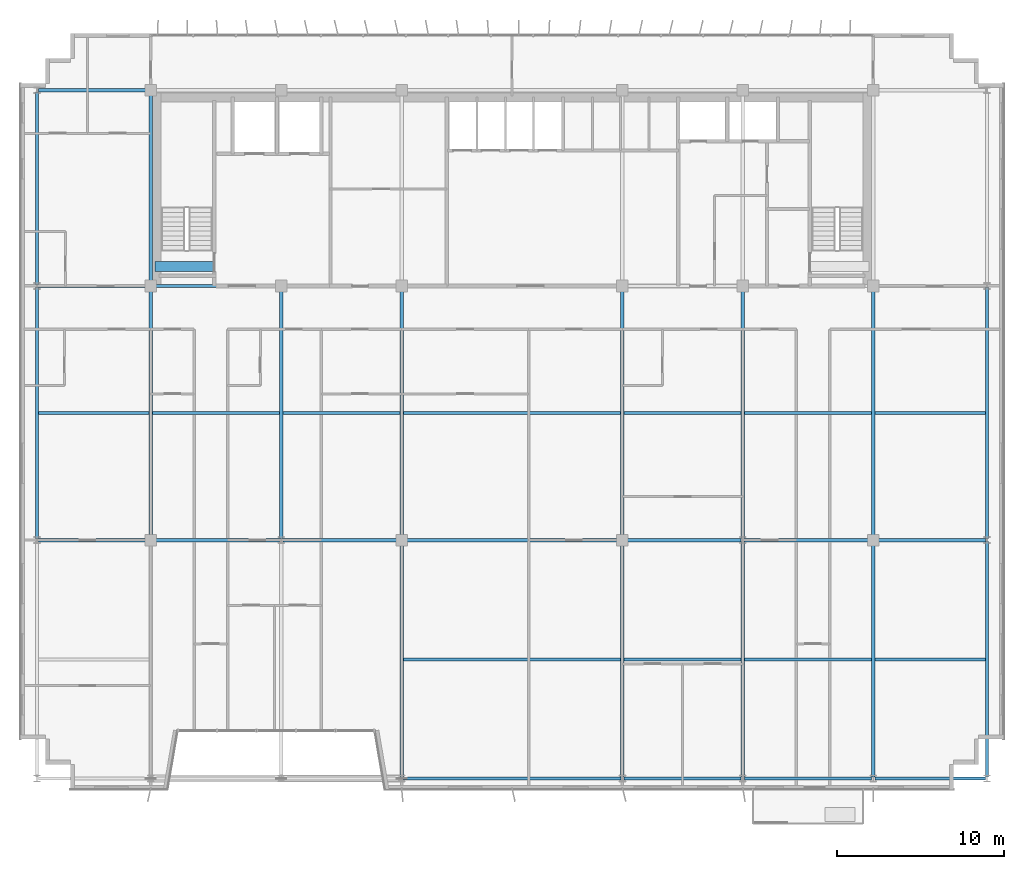
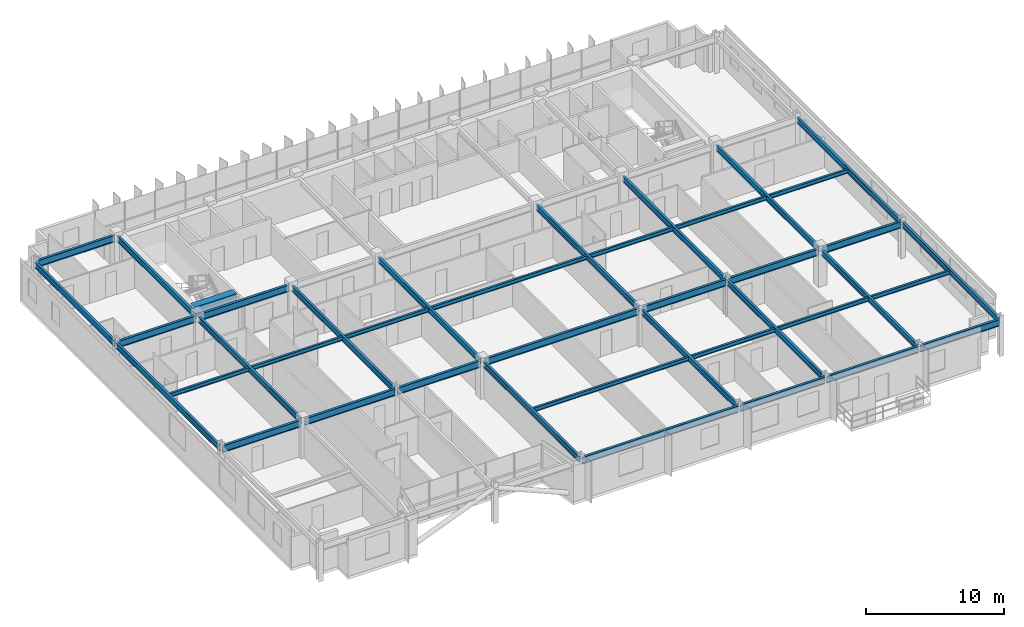
# One storey, part 6 of 24: 41 beams.
"""IFC4 building model written with IfcOpenShell, lengths in metres."""

from ifc_helpers import new_model, si_unit, direction, frame, origin, origin_2d, place, context, subcontext, project, spatial, rectangle, i_section, extrude, source, transform, mapped, material, material_profile, profile_set, type_object, element, save


model = new_model("IFC4")

# Units and contexts
model_context = context("Model", 3, precision=1e-05, world=origin(), true_north=direction((0.0, 1.0)))
body_context = subcontext(model_context, "Body", "Model", "MODEL_VIEW")
ifc_project = project(units=[si_unit("LENGTHUNIT", "METRE"), si_unit("AREAUNIT", "SQUARE_METRE"), si_unit("VOLUMEUNIT", "CUBIC_METRE"), si_unit("PLANEANGLEUNIT", "RADIAN"), si_unit("MASSUNIT", "GRAM", prefix="KILO")], contexts=[model_context])

# Site, building, storey
site_placement = place(None, origin())
site = spatial("IfcSite", under=ifc_project, at=site_placement, CompositionType="ELEMENT")
building_placement = place(site_placement, origin())
building = spatial("IfcBuilding", under=site, at=building_placement, Name="Trelvane Seafront Commons", CompositionType="ELEMENT")
storey_placement = place(building_placement, frame((0.0, 0.0, 178.89990234375)))
storey = spatial("IfcBuildingStorey", under=building, at=storey_placement, Name="L47", CompositionType="ELEMENT", Elevation=178.89990234375)

# Beams
ifc_material_1 = material(Name="Concrete C60/75", Category="concrete")
ifc_material_profile_1 = material_profile(ifc_material_1, rectangle(XDim=0.60009765625, YDim=0.89990234375, at=origin_2d()), Name="RC-600x900")
ifc_profile_set_1 = profile_set([ifc_material_profile_1], Name="Concrete C60/75")
beam_type_1 = type_object("IfcBeamType", Name="STR-LNT-RC600x900", PredefinedType="LINTEL", material=ifc_profile_set_1)
shared_shape_1 = source(origin(), body_context, "Body", "SweptSolid", [
    extrude(rectangle(XDim=0.60009765625, YDim=0.89990234375, at=origin_2d()), origin(), (0.0, 0.0, 1.0), 3.5498046875),
])
beam_1_placement = place(storey_placement, frame((15.85009765625, 34.550048828125, 2.77001953125), z_axis=(1.0, 0.0, 0.0), x_axis=(0.0, 1.0, 0.0)))
element("IfcBeam", 1, at=beam_1_placement, inside=storey, type_object=beam_type_1, Name="L47 Core Coupling Lintel Beam CB-65", PredefinedType="LINTEL", context=body_context, shape_type="MappedRepresentation", body=[
    mapped(shared_shape_1, transform((0.0, 0.0, 0.0), x_axis=(1.0, 0.0, 0.0), y_axis=(0.0, 1.0, 0.0), z_axis=(0.0, 0.0, 1.0), scale=1.0)),
])
ifc_material_2 = material(Name="Steel SM355 (S355)", Category="steel")
ifc_material_profile_2 = material_profile(ifc_material_2, i_section(OverallWidth=0.199951171875, OverallDepth=0.5, WebThickness=0.010009765625, FlangeThickness=0.01611328125, at=origin_2d()), Name="H-500x200x10x16")
ifc_profile_set_2 = profile_set([ifc_material_profile_2], Name="Steel SM355 (S355)")
beam_type_2 = type_object("IfcBeamType", Name="STR-BM-H500", PredefinedType="BEAM", material=ifc_profile_set_2)
shared_shape_2 = source(origin(), body_context, "Body", "SweptSolid", [
    extrude(i_section(OverallWidth=0.199951171875, OverallDepth=0.5, WebThickness=0.010009765625, FlangeThickness=0.01611328125, at=origin_2d()), origin(), (0.0, 0.0, 1.0), 14.89990234375),
])
for number, where, z_axis, x_axis, name in (
    (2, (15.60009765625, 18.35009765625, 2.97021484375), (0.0, 1.0, 0.0), (-1.0, 0.0, 0.0), "L47 Primary Girder G-33"),
    (3, (30.60009765625, 18.35009765625, 2.97021484375), (0.0, 1.0, 0.0), (-1.0, 0.0, 0.0), "L47 Primary Girder G-39"),
    (4, (43.800048828125, 18.35009765625, 2.97021484375), (0.0, 1.0, 0.0), (-1.0, 0.0, 0.0), "L47 Primary Girder G-42"),
    (5, (58.800048828125, 18.35009765625, 2.97021484375), (0.0, 1.0, 0.0), (-1.0, 0.0, 0.0), "L47 Primary Girder G-48"),
):
    element("IfcBeam", number, at=place(storey_placement, frame(where, z_axis=z_axis, x_axis=x_axis)), inside=storey, type_object=beam_type_2, Name=name, PredefinedType="BEAM", context=body_context, shape_type="MappedRepresentation", body=[
        mapped(shared_shape_2, transform((0.0, 0.0, 0.0), x_axis=(1.0, 0.0, 0.0), y_axis=(0.0, 1.0, 0.0), z_axis=(0.0, 0.0, 1.0), scale=1.0)),
    ])
shared_shape_3 = source(origin(), body_context, "Body", "SweptSolid", [
    extrude(i_section(OverallWidth=0.199951171875, OverallDepth=0.5, WebThickness=0.010009765625, FlangeThickness=0.01611328125, at=origin_2d()), origin(), (0.0, 0.0, 1.0), 11.39990234375),
])
beam_2_placement = place(storey_placement, frame((15.60009765625, 33.550048828125, 2.97021484375), z_axis=(0.0, 1.0, 0.0), x_axis=(-1.0, 0.0, 0.0)))
element("IfcBeam", 6, at=beam_2_placement, inside=storey, type_object=beam_type_2, Name="L47 Primary Girder G-34", PredefinedType="BEAM", context=body_context, shape_type="MappedRepresentation", body=[
    mapped(shared_shape_3, transform((0.0, 0.0, 0.0), x_axis=(1.0, 0.0, 0.0), y_axis=(0.0, 1.0, 0.0), z_axis=(0.0, 0.0, 1.0), scale=1.0)),
])
ifc_material_profile_3 = material_profile(ifc_material_2, i_section(OverallWidth=0.175048828125, OverallDepth=0.35009765625, WebThickness=0.007080078125, FlangeThickness=0.010986328125, at=origin_2d()), Name="H-350x175x7x11")
ifc_profile_set_3 = profile_set([ifc_material_profile_3], Name="Steel SM355 (S355)")
beam_type_3 = type_object("IfcBeamType", Name="STR-JST-H350", PredefinedType="JOIST", material=ifc_profile_set_3)
shared_shape_4 = source(origin(), body_context, "Body", "SweptSolid", [
    extrude(i_section(OverallWidth=0.175048828125, OverallDepth=0.35009765625, WebThickness=0.007080078125, FlangeThickness=0.010986328125, at=origin_2d()), origin(), (0.0, 0.0, 1.0), 6.60009765625),
])
for number, where, z_axis, x_axis, name in (
    (7, (58.89990234375, 11.074951171875, 3.045166015625), (1.0, 0.0, 0.0), (0.0, 1.0, 0.0), "L47 Secondary Floor Joist B-57"),
    (8, (8.89990234375, 25.800048828125, 3.045166015625), (1.0, 0.0, 0.0), (0.0, 1.0, 0.0), "L47 Secondary Floor Joist B-58"),
    (9, (58.89990234375, 25.800048828125, 3.045166015625), (1.0, 0.0, 0.0), (0.0, 1.0, 0.0), "L47 Secondary Floor Joist B-64"),
):
    element("IfcBeam", number, at=place(storey_placement, frame(where, z_axis=z_axis, x_axis=x_axis)), inside=storey, type_object=beam_type_3, Name=name, PredefinedType="JOIST", context=body_context, shape_type="MappedRepresentation", body=[
        mapped(shared_shape_4, transform((0.0, 0.0, 0.0), x_axis=(1.0, 0.0, 0.0), y_axis=(0.0, 1.0, 0.0), z_axis=(0.0, 0.0, 1.0), scale=1.0)),
    ])
shared_shape_5 = source(origin(), body_context, "Body", "SweptSolid", [
    extrude(i_section(OverallWidth=0.175048828125, OverallDepth=0.35009765625, WebThickness=0.007080078125, FlangeThickness=0.010986328125, at=origin_2d()), origin(), (0.0, 0.0, 1.0), 7.60009765625),
])
beam_3_placement = place(storey_placement, frame((15.699951171875, 25.800048828125, 3.045166015625), z_axis=(1.0, 0.0, 0.0), x_axis=(0.0, 1.0, 0.0)))
element("IfcBeam", 10, at=beam_3_placement, inside=storey, type_object=beam_type_3, Name="L47 Secondary Floor Joist B-59", PredefinedType="JOIST", context=body_context, shape_type="MappedRepresentation", body=[
    mapped(shared_shape_5, transform((0.0, 0.0, 0.0), x_axis=(1.0, 0.0, 0.0), y_axis=(0.0, 1.0, 0.0), z_axis=(0.0, 0.0, 1.0), scale=1.0)),
])
shared_shape_6 = source(origin(), body_context, "Body", "SweptSolid", [
    extrude(i_section(OverallWidth=0.175048828125, OverallDepth=0.35009765625, WebThickness=0.007080078125, FlangeThickness=0.010986328125, at=origin_2d()), origin(), (0.0, 0.0, 1.0), 7.0),
])
for number, where, z_axis, x_axis, name in (
    (11, (43.89990234375, 11.074951171875, 3.045166015625), (1.0, 0.0, 0.0), (0.0, 1.0, 0.0), "L47 Secondary Floor Joist B-55"),
    (12, (23.5, 25.800048828125, 3.045166015625), (1.0, 0.0, 0.0), (0.0, 1.0, 0.0), "L47 Secondary Floor Joist B-60"),
    (13, (43.89990234375, 25.800048828125, 3.045166015625), (1.0, 0.0, 0.0), (0.0, 1.0, 0.0), "L47 Secondary Floor Joist B-62"),
):
    element("IfcBeam", number, at=place(storey_placement, frame(where, z_axis=z_axis, x_axis=x_axis)), inside=storey, type_object=beam_type_3, Name=name, PredefinedType="JOIST", context=body_context, shape_type="MappedRepresentation", body=[
        mapped(shared_shape_6, transform((0.0, 0.0, 0.0), x_axis=(1.0, 0.0, 0.0), y_axis=(0.0, 1.0, 0.0), z_axis=(0.0, 0.0, 1.0), scale=1.0)),
    ])
shared_shape_7 = source(origin(), body_context, "Body", "SweptSolid", [
    extrude(i_section(OverallWidth=0.175048828125, OverallDepth=0.35009765625, WebThickness=0.007080078125, FlangeThickness=0.010986328125, at=origin_2d()), origin(), (0.0, 0.0, 1.0), 13.0),
])
for number, where, z_axis, x_axis, name in (
    (14, (30.699951171875, 11.074951171875, 3.045166015625), (1.0, 0.0, 0.0), (0.0, 1.0, 0.0), "L47 Secondary Floor Joist B-54"),
    (15, (30.699951171875, 25.800048828125, 3.045166015625), (1.0, 0.0, 0.0), (0.0, 1.0, 0.0), "L47 Secondary Floor Joist B-61"),
):
    element("IfcBeam", number, at=place(storey_placement, frame(where, z_axis=z_axis, x_axis=x_axis)), inside=storey, type_object=beam_type_3, Name=name, PredefinedType="JOIST", context=body_context, shape_type="MappedRepresentation", body=[
        mapped(shared_shape_7, transform((0.0, 0.0, 0.0), x_axis=(1.0, 0.0, 0.0), y_axis=(0.0, 1.0, 0.0), z_axis=(0.0, 0.0, 1.0), scale=1.0)),
    ])
shared_shape_8 = source(origin(), body_context, "Body", "SweptSolid", [
    extrude(i_section(OverallWidth=0.175048828125, OverallDepth=0.35009765625, WebThickness=0.007080078125, FlangeThickness=0.010986328125, at=origin_2d()), origin(), (0.0, 0.0, 1.0), 7.599853515625),
])
for number, where, z_axis, x_axis, name in (
    (16, (51.10009765625, 11.074951171875, 3.045166015625), (1.0, 0.0, 0.0), (0.0, 1.0, 0.0), "L47 Secondary Floor Joist B-56"),
    (17, (51.10009765625, 25.800048828125, 3.045166015625), (1.0, 0.0, 0.0), (0.0, 1.0, 0.0), "L47 Secondary Floor Joist B-63"),
):
    element("IfcBeam", number, at=place(storey_placement, frame(where, z_axis=z_axis, x_axis=x_axis)), inside=storey, type_object=beam_type_3, Name=name, PredefinedType="JOIST", context=body_context, shape_type="MappedRepresentation", body=[
        mapped(shared_shape_8, transform((0.0, 0.0, 0.0), x_axis=(1.0, 0.0, 0.0), y_axis=(0.0, 1.0, 0.0), z_axis=(0.0, 0.0, 1.0), scale=1.0)),
    ])
ifc_material_profile_4 = material_profile(ifc_material_2, i_section(OverallWidth=0.199951171875, OverallDepth=0.60009765625, WebThickness=0.010986328125, FlangeThickness=0.01708984375, at=origin_2d()), Name="H-600x200x11x17")
ifc_profile_set_4 = profile_set([ifc_material_profile_4], Name="Steel SM355 (S355)")
beam_type_4 = type_object("IfcBeamType", Name="STR-SPD-H600", PredefinedType="SPANDREL", material=ifc_profile_set_4)
shared_shape_9 = source(origin(), body_context, "Body", "SweptSolid", [
    extrude(i_section(OverallWidth=0.199951171875, OverallDepth=0.60009765625, WebThickness=0.010986328125, FlangeThickness=0.01708984375, at=origin_2d()), origin(), (0.0, 0.0, 1.0), 6.60986328125),
])
beam_4_placement = place(storey_placement, frame((58.89501953125, 3.949951171875, 2.920166015625), z_axis=(1.0, 0.0, 0.0), x_axis=(0.0, 1.0, 0.0)))
element("IfcBeam", 18, at=beam_4_placement, inside=storey, type_object=beam_type_4, Name="L47 Primary Girder G-07", PredefinedType="SPANDREL", context=body_context, shape_type="MappedRepresentation", body=[
    mapped(shared_shape_9, transform((0.0, 0.0, 0.0), x_axis=(1.0, 0.0, 0.0), y_axis=(0.0, 1.0, 0.0), z_axis=(0.0, 0.0, 1.0), scale=1.0)),
])
shared_shape_10 = source(origin(), body_context, "Body", "SweptSolid", [
    extrude(i_section(OverallWidth=0.199951171875, OverallDepth=0.60009765625, WebThickness=0.010986328125, FlangeThickness=0.01708984375, at=origin_2d()), origin(), (0.0, 0.0, 1.0), 13.010009765625),
])
beam_5_placement = place(storey_placement, frame((30.695068359375, 3.949951171875, 2.920166015625), z_axis=(1.0, 0.0, 0.0), x_axis=(0.0, 1.0, 0.0)))
element("IfcBeam", 19, at=beam_5_placement, inside=storey, type_object=beam_type_4, Name="L47 Primary Girder G-04", PredefinedType="SPANDREL", context=body_context, shape_type="MappedRepresentation", body=[
    mapped(shared_shape_10, transform((0.0, 0.0, 0.0), x_axis=(1.0, 0.0, 0.0), y_axis=(0.0, 1.0, 0.0), z_axis=(0.0, 0.0, 1.0), scale=1.0)),
])
shared_shape_11 = source(origin(), body_context, "Body", "SweptSolid", [
    extrude(i_section(OverallWidth=0.199951171875, OverallDepth=0.60009765625, WebThickness=0.010986328125, FlangeThickness=0.01708984375, at=origin_2d()), origin(), (0.0, 0.0, 1.0), 7.010009765625),
])
beam_6_placement = place(storey_placement, frame((43.89501953125, 3.949951171875, 2.920166015625), z_axis=(1.0, 0.0, 0.0), x_axis=(0.0, 1.0, 0.0)))
element("IfcBeam", 20, at=beam_6_placement, inside=storey, type_object=beam_type_4, Name="L47 Primary Girder G-05", PredefinedType="SPANDREL", context=body_context, shape_type="MappedRepresentation", body=[
    mapped(shared_shape_11, transform((0.0, 0.0, 0.0), x_axis=(1.0, 0.0, 0.0), y_axis=(0.0, 1.0, 0.0), z_axis=(0.0, 0.0, 1.0), scale=1.0)),
])
shared_shape_12 = source(origin(), body_context, "Body", "SweptSolid", [
    extrude(i_section(OverallWidth=0.199951171875, OverallDepth=0.60009765625, WebThickness=0.010986328125, FlangeThickness=0.01708984375, at=origin_2d()), origin(), (0.0, 0.0, 1.0), 7.610107421875),
])
beam_7_placement = place(storey_placement, frame((51.094970703125, 3.949951171875, 2.920166015625), z_axis=(1.0, 0.0, 0.0), x_axis=(0.0, 1.0, 0.0)))
element("IfcBeam", 21, at=beam_7_placement, inside=storey, type_object=beam_type_4, Name="L47 Primary Girder G-06", PredefinedType="SPANDREL", context=body_context, shape_type="MappedRepresentation", body=[
    mapped(shared_shape_12, transform((0.0, 0.0, 0.0), x_axis=(1.0, 0.0, 0.0), y_axis=(0.0, 1.0, 0.0), z_axis=(0.0, 0.0, 1.0), scale=1.0)),
])
shared_shape_13 = source(origin(), body_context, "Body", "SweptSolid", [
    extrude(i_section(OverallWidth=0.199951171875, OverallDepth=0.60009765625, WebThickness=0.010986328125, FlangeThickness=0.01708984375, at=origin_2d()), origin(), (0.0, 0.0, 1.0), 6.554931640625),
])
for number, where, z_axis, x_axis, name in (
    (22, (8.89501953125, 18.199951171875, 2.920166015625), (1.0, 0.0, 0.0), (0.0, 1.0, 0.0), "L47 Primary Girder G-08"),
    (23, (58.949951171875, 18.199951171875, 2.920166015625), (1.0, 0.0, 0.0), (0.0, 1.0, 0.0), "L47 Primary Girder G-14"),
    (24, (8.89501953125, 33.39990234375, 2.920166015625), (1.0, 0.0, 0.0), (0.0, 1.0, 0.0), "L47 Primary Girder G-15"),
    (25, (8.89501953125, 45.10009765625, 2.920166015625), (1.0, 0.0, 0.0), (0.0, 1.0, 0.0), "L47 Primary Girder G-22"),
):
    element("IfcBeam", number, at=place(storey_placement, frame(where, z_axis=z_axis, x_axis=x_axis)), inside=storey, type_object=beam_type_4, Name=name, PredefinedType="SPANDREL", context=body_context, shape_type="MappedRepresentation", body=[
        mapped(shared_shape_13, transform((0.0, 0.0, 0.0), x_axis=(1.0, 0.0, 0.0), y_axis=(0.0, 1.0, 0.0), z_axis=(0.0, 0.0, 1.0), scale=1.0)),
    ])
shared_shape_14 = source(origin(), body_context, "Body", "SweptSolid", [
    extrude(i_section(OverallWidth=0.199951171875, OverallDepth=0.60009765625, WebThickness=0.010986328125, FlangeThickness=0.01708984375, at=origin_2d()), origin(), (0.0, 0.0, 1.0), 7.554931640625),
])
for number, where, z_axis, x_axis, name in (
    (26, (15.75, 18.199951171875, 2.920166015625), (1.0, 0.0, 0.0), (0.0, 1.0, 0.0), "L47 Primary Girder G-09"),
    (27, (51.094970703125, 18.199951171875, 2.920166015625), (1.0, 0.0, 0.0), (0.0, 1.0, 0.0), "L47 Primary Girder G-13"),
):
    element("IfcBeam", number, at=place(storey_placement, frame(where, z_axis=z_axis, x_axis=x_axis)), inside=storey, type_object=beam_type_4, Name=name, PredefinedType="SPANDREL", context=body_context, shape_type="MappedRepresentation", body=[
        mapped(shared_shape_14, transform((0.0, 0.0, 0.0), x_axis=(1.0, 0.0, 0.0), y_axis=(0.0, 1.0, 0.0), z_axis=(0.0, 0.0, 1.0), scale=1.0)),
    ])
shared_shape_15 = source(origin(), body_context, "Body", "SweptSolid", [
    extrude(i_section(OverallWidth=0.199951171875, OverallDepth=0.60009765625, WebThickness=0.010986328125, FlangeThickness=0.01708984375, at=origin_2d()), origin(), (0.0, 0.0, 1.0), 6.954833984375),
])
beam_8_placement = place(storey_placement, frame((23.4951171875, 18.199951171875, 2.920166015625), z_axis=(1.0, 0.0, 0.0), x_axis=(0.0, 1.0, 0.0)))
element("IfcBeam", 28, at=beam_8_placement, inside=storey, type_object=beam_type_4, Name="L47 Primary Girder G-10", PredefinedType="SPANDREL", context=body_context, shape_type="MappedRepresentation", body=[
    mapped(shared_shape_15, transform((0.0, 0.0, 0.0), x_axis=(1.0, 0.0, 0.0), y_axis=(0.0, 1.0, 0.0), z_axis=(0.0, 0.0, 1.0), scale=1.0)),
])
shared_shape_16 = source(origin(), body_context, "Body", "SweptSolid", [
    extrude(i_section(OverallWidth=0.199951171875, OverallDepth=0.60009765625, WebThickness=0.010986328125, FlangeThickness=0.01708984375, at=origin_2d()), origin(), (0.0, 0.0, 1.0), 12.89990234375),
])
beam_9_placement = place(storey_placement, frame((30.75, 18.199951171875, 2.920166015625), z_axis=(1.0, 0.0, 0.0), x_axis=(0.0, 1.0, 0.0)))
element("IfcBeam", 29, at=beam_9_placement, inside=storey, type_object=beam_type_4, Name="L47 Primary Girder G-11", PredefinedType="SPANDREL", context=body_context, shape_type="MappedRepresentation", body=[
    mapped(shared_shape_16, transform((0.0, 0.0, 0.0), x_axis=(1.0, 0.0, 0.0), y_axis=(0.0, 1.0, 0.0), z_axis=(0.0, 0.0, 1.0), scale=1.0)),
])
shared_shape_17 = source(origin(), body_context, "Body", "SweptSolid", [
    extrude(i_section(OverallWidth=0.199951171875, OverallDepth=0.60009765625, WebThickness=0.010986328125, FlangeThickness=0.01708984375, at=origin_2d()), origin(), (0.0, 0.0, 1.0), 6.955078125),
])
beam_10_placement = place(storey_placement, frame((43.949951171875, 18.199951171875, 2.920166015625), z_axis=(1.0, 0.0, 0.0), x_axis=(0.0, 1.0, 0.0)))
element("IfcBeam", 30, at=beam_10_placement, inside=storey, type_object=beam_type_4, Name="L47 Primary Girder G-12", PredefinedType="SPANDREL", context=body_context, shape_type="MappedRepresentation", body=[
    mapped(shared_shape_17, transform((0.0, 0.0, 0.0), x_axis=(1.0, 0.0, 0.0), y_axis=(0.0, 1.0, 0.0), z_axis=(0.0, 0.0, 1.0), scale=1.0)),
])
shared_shape_18 = source(origin(), body_context, "Body", "SweptSolid", [
    extrude(i_section(OverallWidth=0.199951171875, OverallDepth=0.60009765625, WebThickness=0.010986328125, FlangeThickness=0.01708984375, at=origin_2d()), origin(), (0.0, 0.0, 1.0), 7.5),
])
beam_11_placement = place(storey_placement, frame((15.75, 33.39990234375, 2.920166015625), z_axis=(1.0, 0.0, 0.0), x_axis=(0.0, 1.0, 0.0)))
element("IfcBeam", 31, at=beam_11_placement, inside=storey, type_object=beam_type_4, Name="L47 Primary Girder G-16", PredefinedType="SPANDREL", context=body_context, shape_type="MappedRepresentation", body=[
    mapped(shared_shape_18, transform((0.0, 0.0, 0.0), x_axis=(1.0, 0.0, 0.0), y_axis=(0.0, 1.0, 0.0), z_axis=(0.0, 0.0, 1.0), scale=1.0)),
])
shared_shape_19 = source(origin(), body_context, "Body", "SweptSolid", [
    extrude(i_section(OverallWidth=0.199951171875, OverallDepth=0.5, WebThickness=0.010009765625, FlangeThickness=0.01611328125, at=origin_2d()), origin(), (0.0, 0.0, 1.0), 14.06005859375),
])
for number, where, z_axis, x_axis, name in (
    (32, (51.0, 4.044921875, 2.97021484375), (0.0, 1.0, 0.0), (-1.0, 0.0, 0.0), "L47 Primary Girder G-44"),
    (33, (65.60009765625, 4.044921875, 2.97021484375), (0.0, 1.0, 0.0), (-1.0, 0.0, 0.0), "L47 Primary Girder G-50"),
):
    element("IfcBeam", number, at=place(storey_placement, frame(where, z_axis=z_axis, x_axis=x_axis)), inside=storey, type_object=beam_type_2, Name=name, PredefinedType="BEAM", context=body_context, shape_type="MappedRepresentation", body=[
        mapped(shared_shape_19, transform((0.0, 0.0, 0.0), x_axis=(1.0, 0.0, 0.0), y_axis=(0.0, 1.0, 0.0), z_axis=(0.0, 0.0, 1.0), scale=1.0)),
    ])
shared_shape_20 = source(origin(), body_context, "Body", "SweptSolid", [
    extrude(i_section(OverallWidth=0.199951171875, OverallDepth=0.5, WebThickness=0.010009765625, FlangeThickness=0.01611328125, at=origin_2d()), origin(), (0.0, 0.0, 1.0), 15.010009765625),
])
for number, where, z_axis, x_axis, name in (
    (34, (8.800048828125, 18.294921875, 2.97021484375), (0.0, 1.0, 0.0), (-1.0, 0.0, 0.0), "L47 Primary Girder G-30"),
    (35, (65.60009765625, 18.294921875, 2.97021484375), (0.0, 1.0, 0.0), (-1.0, 0.0, 0.0), "L47 Primary Girder G-51"),
):
    element("IfcBeam", number, at=place(storey_placement, frame(where, z_axis=z_axis, x_axis=x_axis)), inside=storey, type_object=beam_type_2, Name=name, PredefinedType="BEAM", context=body_context, shape_type="MappedRepresentation", body=[
        mapped(shared_shape_20, transform((0.0, 0.0, 0.0), x_axis=(1.0, 0.0, 0.0), y_axis=(0.0, 1.0, 0.0), z_axis=(0.0, 0.0, 1.0), scale=1.0)),
    ])
shared_shape_21 = source(origin(), body_context, "Body", "SweptSolid", [
    extrude(i_section(OverallWidth=0.199951171875, OverallDepth=0.5, WebThickness=0.010009765625, FlangeThickness=0.01611328125, at=origin_2d()), origin(), (0.0, 0.0, 1.0), 11.509765625),
])
beam_12_placement = place(storey_placement, frame((8.800048828125, 33.4951171875, 2.97021484375), z_axis=(0.0, 1.0, 0.0), x_axis=(-1.0, 0.0, 0.0)))
element("IfcBeam", 36, at=beam_12_placement, inside=storey, type_object=beam_type_2, Name="L47 Primary Girder G-31", PredefinedType="BEAM", context=body_context, shape_type="MappedRepresentation", body=[
    mapped(shared_shape_21, transform((0.0, 0.0, 0.0), x_axis=(1.0, 0.0, 0.0), y_axis=(0.0, 1.0, 0.0), z_axis=(0.0, 0.0, 1.0), scale=1.0)),
])
shared_shape_22 = source(origin(), body_context, "Body", "SweptSolid", [
    extrude(i_section(OverallWidth=0.199951171875, OverallDepth=0.5, WebThickness=0.010009765625, FlangeThickness=0.01611328125, at=origin_2d()), origin(), (0.0, 0.0, 1.0), 14.005126953125),
])
for number, where, z_axis, x_axis, name in (
    (37, (30.60009765625, 4.044921875, 2.97021484375), (0.0, 1.0, 0.0), (-1.0, 0.0, 0.0), "L47 Primary Girder G-38"),
    (38, (43.800048828125, 4.044921875, 2.97021484375), (0.0, 1.0, 0.0), (-1.0, 0.0, 0.0), "L47 Primary Girder G-41"),
    (39, (58.800048828125, 4.044921875, 2.97021484375), (0.0, 1.0, 0.0), (-1.0, 0.0, 0.0), "L47 Primary Girder G-47"),
):
    element("IfcBeam", number, at=place(storey_placement, frame(where, z_axis=z_axis, x_axis=x_axis)), inside=storey, type_object=beam_type_2, Name=name, PredefinedType="BEAM", context=body_context, shape_type="MappedRepresentation", body=[
        mapped(shared_shape_22, transform((0.0, 0.0, 0.0), x_axis=(1.0, 0.0, 0.0), y_axis=(0.0, 1.0, 0.0), z_axis=(0.0, 0.0, 1.0), scale=1.0)),
    ])
shared_shape_23 = source(origin(), body_context, "Body", "SweptSolid", [
    extrude(i_section(OverallWidth=0.199951171875, OverallDepth=0.5, WebThickness=0.010009765625, FlangeThickness=0.01611328125, at=origin_2d()), origin(), (0.0, 0.0, 1.0), 14.955078125),
])
for number, where, z_axis, x_axis, name in (
    (40, (23.39990234375, 18.294921875, 2.97021484375), (0.0, 1.0, 0.0), (-1.0, 0.0, 0.0), "L47 Primary Girder G-36"),
    (41, (51.0, 18.294921875, 2.97021484375), (0.0, 1.0, 0.0), (-1.0, 0.0, 0.0), "L47 Primary Girder G-45"),
):
    element("IfcBeam", number, at=place(storey_placement, frame(where, z_axis=z_axis, x_axis=x_axis)), inside=storey, type_object=beam_type_2, Name=name, PredefinedType="BEAM", context=body_context, shape_type="MappedRepresentation", body=[
        mapped(shared_shape_23, transform((0.0, 0.0, 0.0), x_axis=(1.0, 0.0, 0.0), y_axis=(0.0, 1.0, 0.0), z_axis=(0.0, 0.0, 1.0), scale=1.0)),
    ])

save(model, "model.ifc")
